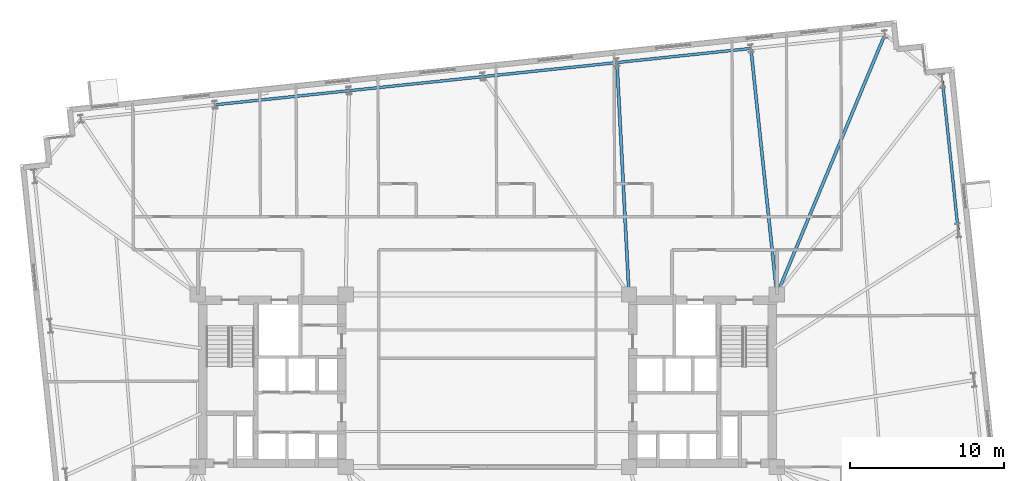
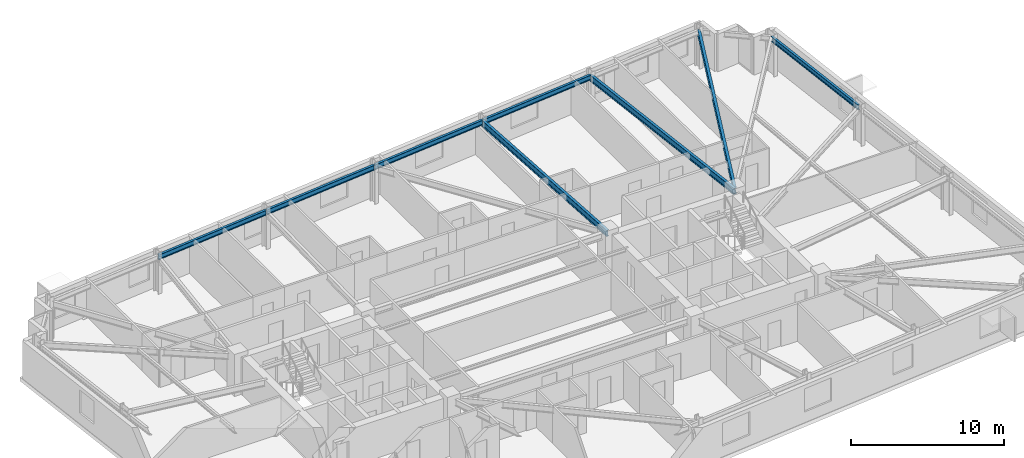
# One storey, part 9 of 19: 8 beams.
"""IFC4 building model written with IfcOpenShell, lengths in metres."""

from ifc_helpers import new_model, si_unit, direction, frame, origin, origin_2d, place, context, subcontext, project, spatial, i_section, extrude, material, material_profile, profile_set, type_object, element, save


model = new_model("IFC4")

# Units and contexts
model_context = context("Model", 3, precision=1e-05, world=origin(), true_north=direction((0.0, 1.0)))
body_context = subcontext(model_context, "Body", "Model", "MODEL_VIEW")
ifc_project = project(units=[si_unit("LENGTHUNIT", "METRE"), si_unit("AREAUNIT", "SQUARE_METRE"), si_unit("VOLUMEUNIT", "CUBIC_METRE"), si_unit("PLANEANGLEUNIT", "RADIAN"), si_unit("MASSUNIT", "GRAM", prefix="KILO")], contexts=[model_context])

# Site, building, storey
site_placement = place(None, origin())
site = spatial("IfcSite", under=ifc_project, at=site_placement, CompositionType="ELEMENT")
building_placement = place(site_placement, origin())
building = spatial("IfcBuilding", under=site, at=building_placement, Name="Qobustan Lattice House", CompositionType="ELEMENT")
storey_placement = place(building_placement, frame((0.0, 0.0, 122.550048828125)))
storey = spatial("IfcBuildingStorey", under=building, at=storey_placement, Name="L34", CompositionType="ELEMENT", Elevation=122.550048828125)

# Beams
ifc_material_1 = material(Name="Steel S355", Category="steel")
ifc_material_profile_1 = material_profile(ifc_material_1, i_section(OverallWidth=0.199951171875, OverallDepth=0.5, WebThickness=0.01025390625, FlangeThickness=0.01611328125, FilletRadius=0.02099609375, at=origin_2d()), Name="IPE500")
ifc_profile_set_1 = profile_set([ifc_material_profile_1], Name="Steel S355")
beam_type_1 = type_object("IfcBeamType", Name="BM-FLG-IPE500", PredefinedType="USERDEFINED", material=ifc_profile_set_1)
beam_1_placement = place(storey_placement, frame((8.41650390625, 20.640625, 2.75), z_axis=(0.052023629628, -0.998645854125, 0.0), x_axis=(0.998645854125, 0.052023629628, 0.0)))
element("IfcBeam", 1, at=beam_1_placement, inside=storey, type_object=beam_type_1, Name="L34 primary floor girder RAD-N3", ObjectType="GIRDER", PredefinedType="USERDEFINED", context=body_context, shape_type="SweptSolid", body=[
    extrude(i_section(OverallWidth=0.199951171875, OverallDepth=0.5, WebThickness=0.01025390625, FlangeThickness=0.01611328125, FilletRadius=0.02099609375, at=origin_2d()), origin(), (0.0, 0.0, 1.0), 15.035888671875),
])
beam_2_placement = place(storey_placement, frame((17.1201171875, 21.555419921875, 2.75), z_axis=(0.104706999053, -0.994503114298, 0.0), x_axis=(0.994503114298, 0.104706999053, 0.0)))
element("IfcBeam", 2, at=beam_2_placement, inside=storey, type_object=beam_type_1, Name="L34 primary floor girder RAD-N2", ObjectType="GIRDER", PredefinedType="USERDEFINED", context=body_context, shape_type="SweptSolid", body=[
    extrude(i_section(OverallWidth=0.199951171875, OverallDepth=0.5, WebThickness=0.01025390625, FlangeThickness=0.01611328125, FilletRadius=0.02099609375, at=origin_2d()), origin(), (0.0, 0.0, 1.0), 16.0185546875),
])
beam_3_placement = place(storey_placement, frame((25.809814453125, 22.471923828125, 2.75), z_axis=(-0.383675501465, -0.923467979724, 0.0), x_axis=(0.923467979724, -0.383675501465, 0.0)))
element("IfcBeam", 3, at=beam_3_placement, inside=storey, type_object=beam_type_1, Name="L34 primary floor girder RAD-N1E", ObjectType="GIRDER", PredefinedType="USERDEFINED", context=body_context, shape_type="SweptSolid", body=[
    extrude(i_section(OverallWidth=0.199951171875, OverallDepth=0.5, WebThickness=0.01025390625, FlangeThickness=0.01611328125, FilletRadius=0.02099609375, at=origin_2d()), origin(), (0.0, 0.0, 1.0), 18.2451171875),
])
ifc_material_2 = material(Name="Steel S355", Category="steel")
ifc_material_profile_2 = material_profile(ifc_material_2, i_section(OverallWidth=0.179931640625, OverallDepth=0.39990234375, WebThickness=0.008544921875, FlangeThickness=0.013427734375, FilletRadius=0.02099609375, at=origin_2d()), Name="IPE400")
ifc_profile_set_2 = profile_set([ifc_material_profile_2], Name="Steel S355")
beam_type_2 = type_object("IfcBeamType", Name="BM-SPD-IPE400", PredefinedType="SPANDREL", material=ifc_profile_set_2)
beam_4_placement = place(storey_placement, frame((30.574462890625, 9.78076171875, 2.800048828125), z_axis=(-0.104525214252, 0.994522236848, 0.0), x_axis=(-0.994522236848, -0.104525214252, 0.0)))
element("IfcBeam", 4, at=beam_4_placement, inside=storey, type_object=beam_type_2, Name="L34 perimeter spandrel E3-E4", PredefinedType="SPANDREL", context=body_context, shape_type="SweptSolid", body=[
    extrude(i_section(OverallWidth=0.179931640625, OverallDepth=0.39990234375, WebThickness=0.008544921875, FlangeThickness=0.013427734375, FilletRadius=0.02099609375, at=origin_2d()), origin(), (0.0, 0.0, 1.0), 9.716552734375),
])
beam_5_placement = place(storey_placement, frame((17.092529296875, 21.577880859375, 2.800048828125), z_axis=(-0.994518668742, -0.104559158006, 0.0), x_axis=(0.104559158006, -0.994518668742, 0.0)))
element("IfcBeam", 5, at=beam_5_placement, inside=storey, type_object=beam_type_2, Name="L34 perimeter spandrel N2-N3", PredefinedType="SPANDREL", context=body_context, shape_type="SweptSolid", body=[
    extrude(i_section(OverallWidth=0.179931640625, OverallDepth=0.39990234375, WebThickness=0.008544921875, FlangeThickness=0.013427734375, FilletRadius=0.02099609375, at=origin_2d()), origin(), (0.0, 0.0, 1.0), 8.699951171875),
])
beam_6_placement = place(storey_placement, frame((8.390380859375, 20.6630859375, 2.800048828125), z_axis=(-0.994521279781, -0.10453432002, 0.0), x_axis=(0.10453432002, -0.994521279781, 0.0)))
element("IfcBeam", 6, at=beam_6_placement, inside=storey, type_object=beam_type_2, Name="L34 perimeter spandrel N3-N4", PredefinedType="SPANDREL", context=body_context, shape_type="SweptSolid", body=[
    extrude(i_section(OverallWidth=0.179931640625, OverallDepth=0.39990234375, WebThickness=0.008544921875, FlangeThickness=0.013427734375, FilletRadius=0.02099609375, at=origin_2d()), origin(), (0.0, 0.0, 1.0), 8.69970703125),
])
for number, where, z_axis, x_axis, name in (
    (7, (-0.3115234375, 19.74853515625, 2.800048828125), (-0.994521586424, -0.104531402636, 0.0), (0.104531402636, -0.994521586424, 0.0), "L34 perimeter spandrel N4-N5"),
    (8, (-9.013671875, 18.833984375, 2.800048828125), (-0.994521586424, -0.104531402636, 0.0), (0.104531402636, -0.994521586424, 0.0), "L34 perimeter spandrel N5-N6"),
):
    element("IfcBeam", number, at=place(storey_placement, frame(where, z_axis=z_axis, x_axis=x_axis)), inside=storey, type_object=beam_type_2, Name=name, PredefinedType="SPANDREL", context=body_context, shape_type="SweptSolid", body=[
        extrude(i_section(OverallWidth=0.179931640625, OverallDepth=0.39990234375, WebThickness=0.008544921875, FlangeThickness=0.013427734375, FilletRadius=0.02099609375, at=origin_2d()), origin(), (0.0, 0.0, 1.0), 8.699951171875),
    ])

save(model, "model.ifc")
